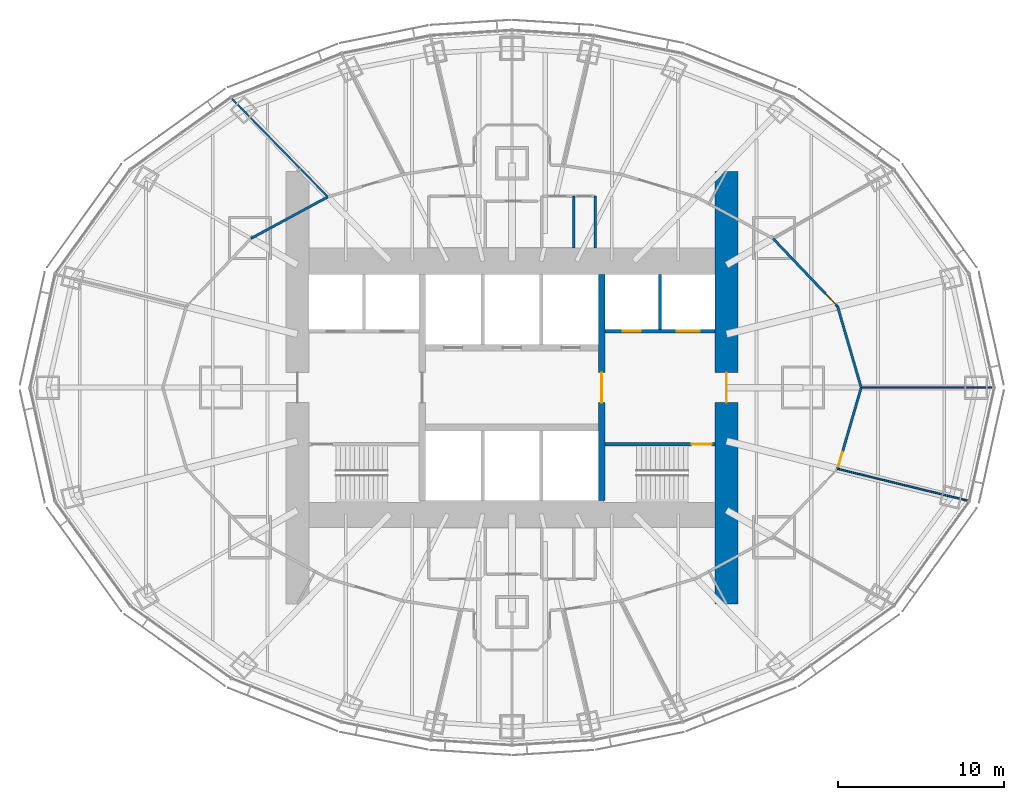
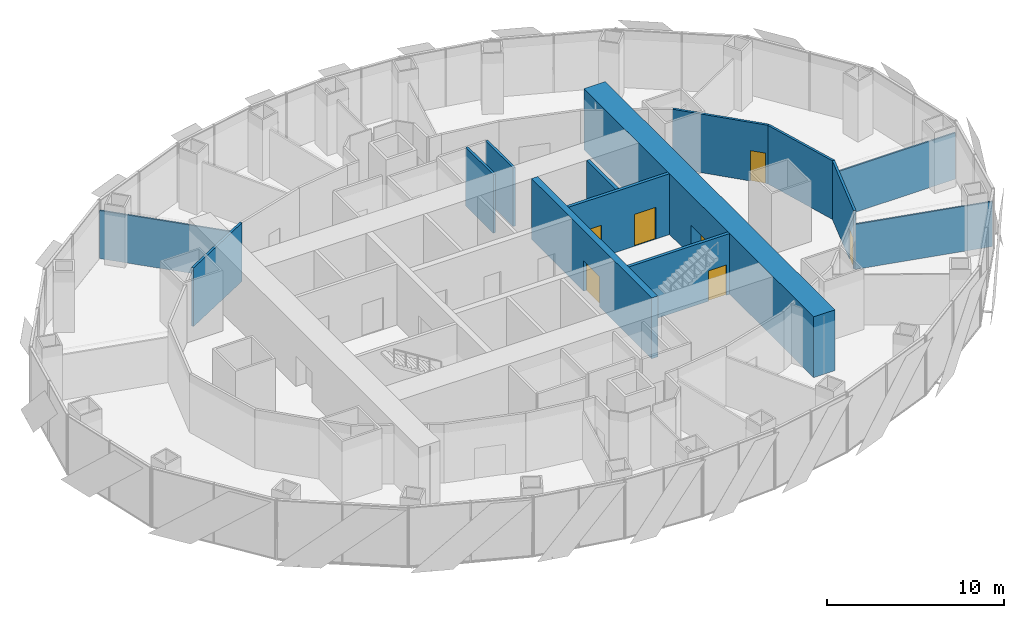
# One storey, part 12 of 18: 14 walls, 7 doors, 7 openings.
"""IFC4 building model written with IfcOpenShell, lengths in metres."""

from ifc_helpers import new_model, si_unit, direction, frame, frame_2d, origin, place, context, subcontext, project, spatial, rectangle, extrude, material, layer, layer_set, type_object, element, fill, save


model = new_model("IFC4")

# Units and contexts
model_context = context("Model", 3, precision=1e-05, world=origin(), true_north=direction((0.0, 1.0)))
body_context = subcontext(model_context, "Body", "Model", "MODEL_VIEW")
ifc_project = project(units=[si_unit("LENGTHUNIT", "METRE"), si_unit("AREAUNIT", "SQUARE_METRE"), si_unit("VOLUMEUNIT", "CUBIC_METRE"), si_unit("PLANEANGLEUNIT", "RADIAN"), si_unit("MASSUNIT", "GRAM", prefix="KILO")], contexts=[model_context])

# Site, building, storey
site_placement = place(None, origin())
site = spatial("IfcSite", under=ifc_project, at=site_placement, CompositionType="ELEMENT")
building_placement = place(site_placement, origin())
building = spatial("IfcBuilding", under=site, at=building_placement, Name="Lantaw Convention Tower", CompositionType="ELEMENT")
storey_placement = place(building_placement, frame((0.0, 0.0, 146.800048828125)))
storey = spatial("IfcBuildingStorey", under=building, at=storey_placement, Name="L34", CompositionType="ELEMENT", Elevation=146.800048828125)

# Wall, opening, door
ifc_material_1 = material(Name="Concrete C60/75", Category="concrete")
ifc_layer_1 = layer(ifc_material_1, 1.39990234375)
ifc_layer_set_1 = layer_set([ifc_layer_1], Name="Core wall 1400")
wall_type_1 = type_object("IfcWallType", Name="Core wall 1400", PredefinedType="SHEAR", material=ifc_layer_set_1)
wall_1_placement = place(storey_placement, frame((12.89990234375, -13.0, 0.0), z_axis=(0.0, 0.0, 1.0), x_axis=(0.0, 1.0, 0.0)))
wall_1 = element("IfcWall", 1, at=wall_1_placement, inside=storey, type_object=wall_type_1, Name="Core wall E", PredefinedType="SHEAR", context=body_context, shape_type="SweptSolid", body=[
    extrude(rectangle(XDim=26.0, YDim=1.39990234375, at=frame_2d((13.0, 0.0))), origin(), (0.0, 0.0, 1.0), 4.199951171875),
])
opening_1_placement = place(wall_1_placement, frame((12.10009765625, 0.0, 0.0)))
opening_1 = element("IfcOpeningElement", 2, at=opening_1_placement, cuts=wall_1, Name="Opening L34.05", PredefinedType="OPENING", context=body_context, shape_type="SweptSolid", body=[
    extrude(rectangle(XDim=1.800048828125, YDim=2.10009765625, at=frame_2d((0.89990234375, 1.050048828125))), frame((0.0, 0.7099609375, 0.0), z_axis=(0.0, -1.0, 0.0), x_axis=(1.0, 0.0, 0.0)), (0.0, 0.0, 1.0), 1.419921875),
])
ifc_material_2 = material(Name="Steel, fire rated", Category="steel")
door_type_1 = type_object("IfcDoorType", Name="Lobby double door FD90", OperationType="DOUBLE_DOOR_DOUBLE_SWING", PredefinedType="DOOR", material=ifc_material_2)
door_1_placement = place(opening_1_placement, origin())
door_1 = element("IfcDoor", 3, at=door_1_placement, inside=storey, type_object=door_type_1, Name="Firefighting lobby door", OperationType="DOUBLE_DOOR_DOUBLE_SWING", OverallHeight=2.10009765625, OverallWidth=1.800048828125, PredefinedType="DOOR", context=body_context, shape_type="SweptSolid", body=[
    extrude(rectangle(XDim=1.800048828125, YDim=2.10009765625, at=frame_2d((0.89990234375, 1.050048828125))), frame((0.0, 0.02490234375, 0.0), z_axis=(0.0, -1.0, 0.0), x_axis=(1.0, 0.0, 0.0)), (0.0, 0.0, 1.0), 0.050048828125),
])
fill(opening_1, door_1)

ifc_layer_2 = layer(ifc_material_1, 0.199951171875)
ifc_layer_set_2 = layer_set([ifc_layer_2], Name="Core wall 200")
wall_type_2 = type_object("IfcWallType", Name="Core wall 200", PredefinedType="SHEAR", material=ifc_layer_set_2)
wall_2_placement = place(storey_placement, frame((5.60009765625, -3.39990234375, 0.0), z_axis=(0.0, 0.0, 1.0), x_axis=(1.0, 0.0, 0.0)))
wall_2 = element("IfcWall", 4, at=wall_2_placement, inside=storey, type_object=wall_type_2, Name="Core wall ES", PredefinedType="SHEAR", context=body_context, shape_type="SweptSolid", body=[
    extrude(rectangle(XDim=6.599853515625, YDim=0.199951171875, at=frame_2d((3.2998046875, 0.0))), origin(), (0.0, 0.0, 1.0), 4.199951171875),
])
opening_2_placement = place(wall_2_placement, frame((5.199951171875, 0.0, 0.0)))
opening_2 = element("IfcOpeningElement", 5, at=opening_2_placement, cuts=wall_2, Name="Opening L34.03", PredefinedType="OPENING", context=body_context, shape_type="SweptSolid", body=[
    extrude(rectangle(XDim=1.199951171875, YDim=2.10009765625, at=frame_2d((0.60009765625, 1.050048828125))), frame((0.0, 0.10986328125, 0.0), z_axis=(0.0, -1.0, 0.0), x_axis=(1.0, 0.0, 0.0)), (0.0, 0.0, 1.0), 0.219970703125),
])
door_type_2 = type_object("IfcDoorType", Name="Stair door FD90", OperationType="SINGLE_SWING_RIGHT", PredefinedType="DOOR", material=ifc_material_2)
door_2_placement = place(opening_2_placement, origin())
door_2 = element("IfcDoor", 6, at=door_2_placement, inside=storey, type_object=door_type_2, Name="Exit stair door", OperationType="SINGLE_SWING_RIGHT", OverallHeight=2.10009765625, OverallWidth=1.199951171875, PredefinedType="DOOR", context=body_context, shape_type="SweptSolid", body=[
    extrude(rectangle(XDim=1.199951171875, YDim=2.10009765625, at=frame_2d((0.60009765625, 1.050048828125))), frame((0.0, 0.02490234375, 0.0), z_axis=(0.0, -1.0, 0.0), x_axis=(1.0, 0.0, 0.0)), (0.0, 0.0, 1.0), 0.050048828125),
])
fill(opening_2, door_2)

ifc_layer_3 = layer(ifc_material_1, 0.39990234375)
ifc_layer_set_3 = layer_set([ifc_layer_3], Name="Core wall 400")
wall_type_3 = type_object("IfcWallType", Name="Core wall 400", PredefinedType="SHEAR", material=ifc_layer_set_3)
wall_3_placement = place(storey_placement, frame((5.39990234375, -6.800048828125, 0.0), z_axis=(0.0, 0.0, 1.0), x_axis=(0.0, 1.0, 0.0)))
wall_3 = element("IfcWall", 7, at=wall_3_placement, inside=storey, type_object=wall_type_3, Name="Core wall XE", PredefinedType="SHEAR", context=body_context, shape_type="SweptSolid", body=[
    extrude(rectangle(XDim=13.60009765625, YDim=0.39990234375, at=frame_2d((6.800048828125, 0.0))), origin(), (0.0, 0.0, 1.0), 4.199951171875),
])
opening_3_placement = place(wall_3_placement, frame((5.89990234375, 0.0, 0.0)))
opening_3 = element("IfcOpeningElement", 8, at=opening_3_placement, cuts=wall_3, Name="Opening L34.01", PredefinedType="OPENING", context=body_context, shape_type="SweptSolid", body=[
    extrude(rectangle(XDim=1.800048828125, YDim=2.10009765625, at=frame_2d((0.89990234375, 1.050048828125))), frame((0.0, 0.2099609375, 0.0), z_axis=(0.0, -1.0, 0.0), x_axis=(1.0, 0.0, 0.0)), (0.0, 0.0, 1.0), 0.419921875),
])
door_3_placement = place(opening_3_placement, origin())
door_3 = element("IfcDoor", 9, at=door_3_placement, inside=storey, type_object=door_type_1, Name="Lift lobby door", OperationType="DOUBLE_DOOR_DOUBLE_SWING", OverallHeight=2.10009765625, OverallWidth=1.800048828125, PredefinedType="DOOR", context=body_context, shape_type="SweptSolid", body=[
    extrude(rectangle(XDim=1.800048828125, YDim=2.10009765625, at=frame_2d((0.89990234375, 1.050048828125))), frame((0.0, 0.02490234375, 0.0), z_axis=(0.0, -1.0, 0.0), x_axis=(1.0, 0.0, 0.0)), (0.0, 0.0, 1.0), 0.050048828125),
])
fill(opening_3, door_3)

# Wall
ifc_material_3 = material(Name="Gypsum board on steel studs, fire rated", Category="steel")
ifc_layer_4 = layer(ifc_material_3, 0.14990234375)
ifc_layer_set_4 = layer_set([ifc_layer_4], Name="Corridor wall 150 EI 60")
wall_type_4 = type_object("IfcWallType", Name="Corridor wall 150 EI 60", PredefinedType="PARTITIONING", material=ifc_layer_set_4)
wall_4_placement = place(storey_placement, frame((21.0, 0.0, 0.0), z_axis=(0.0, 0.0, 1.0), x_axis=(-0.279474430869, 0.960153134917, 0.0)))
element("IfcWall", 10, at=wall_4_placement, inside=storey, type_object=wall_type_4, Name="Corridor wall 150", PredefinedType="PARTITIONING", context=body_context, shape_type="SweptSolid", body=[
    extrude(rectangle(XDim=5.084228515625, YDim=0.14990234375, at=frame_2d((2.5419921875, 0.0))), origin(), (0.0, 0.0, 1.0), 4.050048828125),
])

# Wall, opening, door
wall_5_placement = place(storey_placement, frame((19.5791015625, 4.881591796875, 0.0), z_axis=(0.0, 0.0, 1.0), x_axis=(-0.688797257101, 0.72495402517, 0.0)))
wall_5 = element("IfcWall", 11, at=wall_5_placement, inside=storey, type_object=wall_type_4, Name="Corridor wall 150", PredefinedType="PARTITIONING", context=body_context, shape_type="SweptSolid", body=[
    extrude(rectangle(XDim=5.63818359375, YDim=0.14990234375, at=frame_2d((2.819091796875, 0.0))), origin(), (0.0, 0.0, 1.0), 4.050048828125),
])
opening_4_placement = place(wall_5_placement, frame((0.14990234375, 0.0, 0.0)))
opening_4 = element("IfcOpeningElement", 12, at=opening_4_placement, cuts=wall_5, Name="Opening L34.22", PredefinedType="OPENING", context=body_context, shape_type="SweptSolid", body=[
    extrude(rectangle(XDim=0.89990234375, YDim=2.10009765625, at=frame_2d((0.449951171875, 1.050048828125))), frame((0.0, 0.0849609375, 0.0), z_axis=(0.0, -1.0, 0.0), x_axis=(1.0, 0.0, 0.0)), (0.0, 0.0, 1.0), 0.169921875),
])
door_type_3 = type_object("IfcDoorType", Name="Office door 900 FD30", OperationType="SINGLE_SWING_LEFT", PredefinedType="DOOR", material=ifc_material_2)
door_4_placement = place(opening_4_placement, origin())
door_4 = element("IfcDoor", 13, at=door_4_placement, inside=storey, type_object=door_type_3, Name="Reception door", OperationType="SINGLE_SWING_LEFT", OverallHeight=2.10009765625, OverallWidth=0.89990234375, PredefinedType="DOOR", context=body_context, shape_type="SweptSolid", body=[
    extrude(rectangle(XDim=0.89990234375, YDim=2.10009765625, at=frame_2d((0.449951171875, 1.050048828125))), frame((0.0, 0.02490234375, 0.0), z_axis=(0.0, -1.0, 0.0), x_axis=(1.0, 0.0, 0.0)), (0.0, 0.0, 1.0), 0.050048828125),
])
fill(opening_4, door_4)

# Wall
wall_6_placement = place(storey_placement, frame((-11.075927734375, 11.469482421875, 0.0), z_axis=(0.0, 0.0, 1.0), x_axis=(-0.879436285334, -0.476016617397, 0.0)))
element("IfcWall", 14, at=wall_6_placement, inside=storey, type_object=wall_type_4, Name="Corridor wall 150", PredefinedType="PARTITIONING", context=body_context, shape_type="SweptSolid", body=[
    extrude(rectangle(XDim=5.2529296875, YDim=0.14990234375, at=frame_2d((2.62646484375, 0.0))), origin(), (0.0, 0.0, 1.0), 4.050048828125),
])

# Wall, opening, door
wall_7_placement = place(storey_placement, frame((19.5791015625, -4.881591796875, 0.0), z_axis=(0.0, 0.0, 1.0), x_axis=(0.279474430869, 0.960153134917, 0.0)))
wall_7 = element("IfcWall", 15, at=wall_7_placement, inside=storey, type_object=wall_type_4, Name="Corridor wall 150", PredefinedType="PARTITIONING", context=body_context, shape_type="SweptSolid", body=[
    extrude(rectangle(XDim=5.084228515625, YDim=0.14990234375, at=frame_2d((2.5419921875, 0.0))), origin(), (0.0, 0.0, 1.0), 4.050048828125),
])
opening_5_placement = place(wall_7_placement, frame((0.14990234375, 0.0, 0.0)))
opening_5 = element("IfcOpeningElement", 16, at=opening_5_placement, cuts=wall_7, Name="Opening L34.35", PredefinedType="OPENING", context=body_context, shape_type="SweptSolid", body=[
    extrude(rectangle(XDim=0.89990234375, YDim=2.10009765625, at=frame_2d((0.449951171875, 1.050048828125))), frame((0.0, 0.0849609375, 0.0), z_axis=(0.0, -1.0, 0.0), x_axis=(1.0, 0.0, 0.0)), (0.0, 0.0, 1.0), 0.169921875),
])
door_5_placement = place(opening_5_placement, origin())
door_5 = element("IfcDoor", 17, at=door_5_placement, inside=storey, type_object=door_type_3, Name="Quiet room door", OperationType="SINGLE_SWING_LEFT", OverallHeight=2.10009765625, OverallWidth=0.89990234375, PredefinedType="DOOR", context=body_context, shape_type="SweptSolid", body=[
    extrude(rectangle(XDim=0.89990234375, YDim=2.10009765625, at=frame_2d((0.449951171875, 1.050048828125))), frame((0.0, 0.02490234375, 0.0), z_axis=(0.0, -1.0, 0.0), x_axis=(1.0, 0.0, 0.0)), (0.0, 0.0, 1.0), 0.050048828125),
])
fill(opening_5, door_5)

# Walls
ifc_material_4 = material(Name="Gypsum board on steel studs, acoustic", Category="steel")
ifc_layer_5 = layer(ifc_material_4, 0.10009765625)
ifc_layer_set_5 = layer_set([ifc_layer_5], Name="Office partition 100")
wall_type_5 = type_object("IfcWallType", Name="Office partition 100", PredefinedType="PARTITIONING", material=ifc_layer_set_5)
wall_8_placement = place(storey_placement, frame((28.944091796875, 0.0, 0.0), z_axis=(0.0, 0.0, 1.0), x_axis=(-1.0, 0.0, 0.0)))
element("IfcWall", 18, at=wall_8_placement, inside=storey, type_object=wall_type_5, Name="Office partition 100", PredefinedType="PARTITIONING", context=body_context, shape_type="SweptSolid", body=[
    extrude(rectangle(XDim=7.944091796875, YDim=0.10009765625, at=frame_2d((3.97216796875, 0.0))), origin(), (0.0, 0.0, 1.0), 3.2041015625),
])
wall_9_placement = place(storey_placement, frame((-16.88232421875, 17.413818359375, 0.0), z_axis=(0.0, 0.0, 1.0), x_axis=(0.698758056249, -0.715358077348, 0.0)))
element("IfcWall", 19, at=wall_9_placement, inside=storey, type_object=wall_type_5, Name="Office partition 100", PredefinedType="PARTITIONING", context=body_context, shape_type="SweptSolid", body=[
    extrude(rectangle(XDim=8.3095703125, YDim=0.10009765625, at=frame_2d((4.15478515625, 0.0))), origin(), (0.0, 0.0, 1.0), 3.321044921875),
])
wall_10_placement = place(storey_placement, frame((27.440673828125, -6.808837890625, 0.0), z_axis=(0.0, 0.0, 1.0), x_axis=(-0.971241251223, 0.238097526075, 0.0)))
element("IfcWall", 20, at=wall_10_placement, inside=storey, type_object=wall_type_5, Name="Office partition 100", PredefinedType="PARTITIONING", context=body_context, shape_type="SweptSolid", body=[
    extrude(rectangle(XDim=8.09423828125, YDim=0.10009765625, at=frame_2d((4.047119140625, 0.0))), origin(), (0.0, 0.0, 1.0), 3.11279296875),
])

# Wall, openings, doors
ifc_material_5 = material(Name="Concrete blockwork, fire rated", Category="masonry")
ifc_layer_6 = layer(ifc_material_5, 0.199951171875)
ifc_layer_set_6 = layer_set([ifc_layer_6], Name="Shaft wall 200")
wall_type_6 = type_object("IfcWallType", Name="Shaft wall 200", PredefinedType="SOLIDWALL", material=ifc_layer_set_6)
wall_11_placement = place(storey_placement, frame((12.199951171875, 3.39990234375, 0.0), z_axis=(0.0, 0.0, 1.0), x_axis=(-1.0, 0.0, 0.0)))
wall_11 = element("IfcWall", 21, at=wall_11_placement, inside=storey, type_object=wall_type_6, Name="Shaft wall EN", PredefinedType="SOLIDWALL", context=body_context, shape_type="SweptSolid", body=[
    extrude(rectangle(XDim=6.599853515625, YDim=0.199951171875, at=frame_2d((3.2998046875, 0.0))), origin(), (0.0, 0.0, 1.0), 4.199951171875),
])
opening_6_placement = place(wall_11_placement, frame((4.449951171875, 0.0, 0.0)))
opening_6 = element("IfcOpeningElement", 22, at=opening_6_placement, cuts=wall_11, Name="Opening L34.12", PredefinedType="OPENING", context=body_context, shape_type="SweptSolid", body=[
    extrude(rectangle(XDim=1.10009765625, YDim=2.199951171875, at=frame_2d((0.550048828125, 1.10009765625))), frame((0.0, 0.10986328125, 0.0), z_axis=(0.0, -1.0, 0.0), x_axis=(1.0, 0.0, 0.0)), (0.0, 0.0, 1.0), 0.219970703125),
])
opening_7_placement = place(wall_11_placement, frame((0.89990234375, 0.0, 0.0)))
opening_7 = element("IfcOpeningElement", 23, at=opening_7_placement, cuts=wall_11, Name="Opening L34.13", PredefinedType="OPENING", context=body_context, shape_type="SweptSolid", body=[
    extrude(rectangle(XDim=1.39990234375, YDim=2.199951171875, at=frame_2d((0.699951171875, 1.10009765625))), frame((0.0, 0.10986328125, 0.0), z_axis=(0.0, -1.0, 0.0), x_axis=(1.0, 0.0, 0.0)), (0.0, 0.0, 1.0), 0.219970703125),
])
ifc_material_6 = material(Name="Stainless steel", Category="steel")
door_type_4 = type_object("IfcDoorType", Name="Lift landing door 1100", OperationType="DOUBLE_DOOR_SLIDING", PredefinedType="DOOR", material=ifc_material_6)
door_6_placement = place(opening_6_placement, origin())
door_6 = element("IfcDoor", 24, at=door_6_placement, inside=storey, type_object=door_type_4, Name="Lift landing door FF2", OperationType="DOUBLE_DOOR_SLIDING", OverallHeight=2.199951171875, OverallWidth=1.10009765625, PredefinedType="DOOR", context=body_context, shape_type="SweptSolid", body=[
    extrude(rectangle(XDim=1.10009765625, YDim=2.199951171875, at=frame_2d((0.550048828125, 1.10009765625))), frame((0.0, 0.02490234375, 0.0), z_axis=(0.0, -1.0, 0.0), x_axis=(1.0, 0.0, 0.0)), (0.0, 0.0, 1.0), 0.050048828125),
])
fill(opening_6, door_6)
door_type_5 = type_object("IfcDoorType", Name="Lift landing door 1400", OperationType="DOUBLE_DOOR_SLIDING", PredefinedType="DOOR", material=ifc_material_6)
door_7_placement = place(opening_7_placement, origin())
door_7 = element("IfcDoor", 25, at=door_7_placement, inside=storey, type_object=door_type_5, Name="Lift landing door SV2", OperationType="DOUBLE_DOOR_SLIDING", OverallHeight=2.199951171875, OverallWidth=1.39990234375, PredefinedType="DOOR", context=body_context, shape_type="SweptSolid", body=[
    extrude(rectangle(XDim=1.39990234375, YDim=2.199951171875, at=frame_2d((0.699951171875, 1.10009765625))), frame((0.0, 0.02490234375, 0.0), z_axis=(0.0, -1.0, 0.0), x_axis=(1.0, 0.0, 0.0)), (0.0, 0.0, 1.0), 0.050048828125),
])
fill(opening_7, door_7)

# Walls
wall_12_placement = place(storey_placement, frame((8.89990234375, 3.5, 0.0), z_axis=(0.0, 0.0, 1.0), x_axis=(0.0, 1.0, 0.0)))
element("IfcWall", 26, at=wall_12_placement, inside=storey, type_object=wall_type_6, Name="Shaft wall ED", PredefinedType="SOLIDWALL", context=body_context, shape_type="SweptSolid", body=[
    extrude(rectangle(XDim=3.300048828125, YDim=0.199951171875, at=frame_2d((1.64990234375, 0.0))), origin(), (0.0, 0.0, 1.0), 4.199951171875),
])
ifc_material_7 = material(Name="Concrete blockwork", Category="masonry")
ifc_layer_7 = layer(ifc_material_7, 0.14990234375)
ifc_layer_set_7 = layer_set([ifc_layer_7], Name="WC wall 150")
wall_type_7 = type_object("IfcWallType", Name="WC wall 150", PredefinedType="SOLIDWALL", material=ifc_layer_set_7)
for number, where, z_axis, x_axis, name in (
    (27, (5.0, 8.39990234375, 0.0), (0.0, 0.0, 1.0), (0.0, 1.0, 0.0), "WC wall 150"),
    (28, (3.699951171875, 8.39990234375, 0.0), (0.0, 0.0, 1.0), (0.0, 1.0, 0.0), "WC wall 150"),
):
    element("IfcWall", number, at=place(storey_placement, frame(where, z_axis=z_axis, x_axis=x_axis)), inside=storey, type_object=wall_type_7, Name=name, PredefinedType="SOLIDWALL", context=body_context, shape_type="SweptSolid", body=[
        extrude(rectangle(XDim=3.112060546875, YDim=0.14990234375, at=frame_2d((1.55615234375, 0.0))), origin(), (0.0, 0.0, 1.0), 4.050048828125),
    ])

save(model, "model.ifc")
